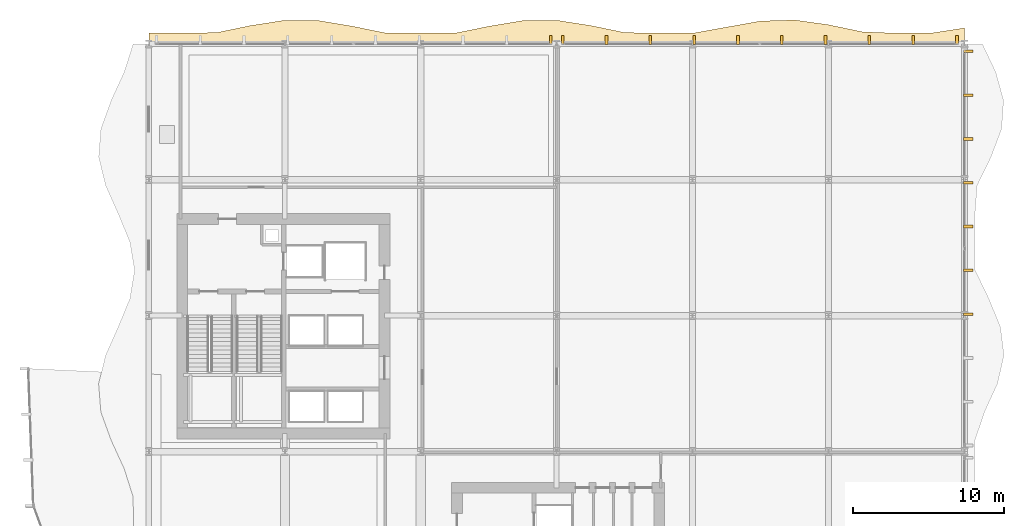
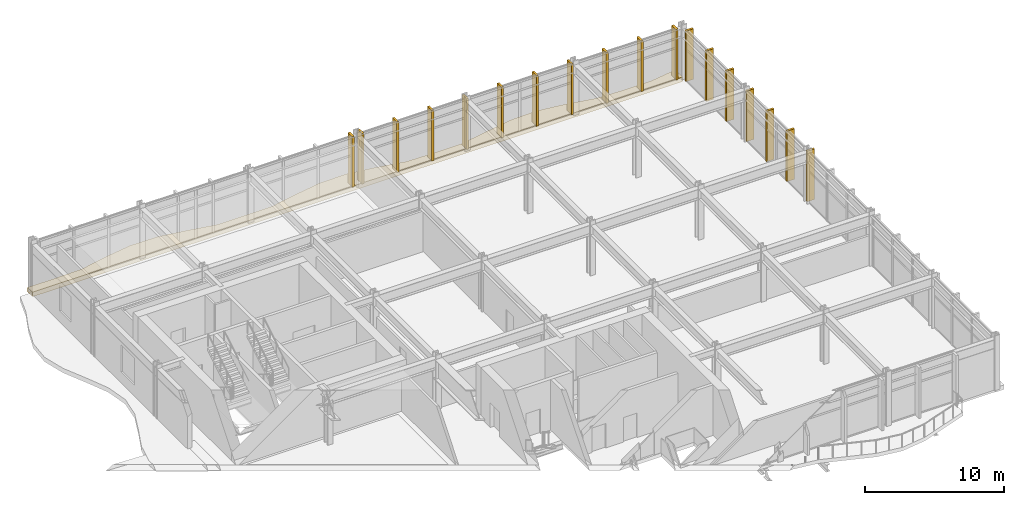
# One storey, part 30 of 31: 19 coverings.
"""IFC4 building model written with IfcOpenShell, lengths in metres."""

from ifc_helpers import new_model, si_unit, direction, frame, origin, origin_2d, place, context, subcontext, project, spatial, polyline, rectangle, outline, extrude, material, layer, layer_set, type_object, element, save


model = new_model("IFC4")

# Units and contexts
model_context = context("Model", 3, precision=1e-05, world=origin(), true_north=direction((0.0, 1.0)))
body_context = subcontext(model_context, "Body", "Model", "MODEL_VIEW")
ifc_project = project(units=[si_unit("LENGTHUNIT", "METRE"), si_unit("AREAUNIT", "SQUARE_METRE"), si_unit("VOLUMEUNIT", "CUBIC_METRE"), si_unit("PLANEANGLEUNIT", "RADIAN"), si_unit("MASSUNIT", "GRAM", prefix="KILO")], contexts=[model_context])

# Site, building, storey
site_placement = place(None, origin())
site = spatial("IfcSite", under=ifc_project, at=site_placement, CompositionType="ELEMENT")
building_placement = place(site_placement, origin())
building = spatial("IfcBuilding", under=site, at=building_placement, Name="Solvaryn Broadcast Tower", CompositionType="ELEMENT")
storey_placement = place(building_placement, frame((0.0, 0.0, 26.0)))
storey = spatial("IfcBuildingStorey", under=building, at=storey_placement, Name="L05", CompositionType="ELEMENT", Elevation=26.0)

# Coverings
ifc_material_1 = material(Name="Extruded Architectural Terracotta Fin", Category="masonry")
ifc_layer_1 = layer(ifc_material_1, 0.179931640625)
ifc_layer_set_1 = layer_set([ifc_layer_1], Name="CV-TC-FIN")
covering_type_1 = type_object("IfcCoveringType", Name="CV-TC-FIN", PredefinedType="USERDEFINED", material=ifc_layer_set_1)
for number, where, z_axis, x_axis, name in (
    (1, (35.60009765625, 54.25, 0.0), (0.0, 0.0, 1.0), (1.0, 0.0, 0.0), "L05 Terracotta Vertical Fin FIN-POD-L05-N1-09"),
    (2, (36.39990234375, 54.25, 0.0), (0.0, 0.0, 1.0), (1.0, 0.0, 0.0), "L05 Terracotta Vertical Fin FIN-POD-L05-N2-00"),
    (3, (39.300048828125, 54.25, 0.0), (0.0, 0.0, 1.0), (1.0, 0.0, 0.0), "L05 Terracotta Vertical Fin FIN-POD-L05-N2-01"),
    (4, (42.199951171875, 54.25, 0.0), (0.0, 0.0, 1.0), (1.0, 0.0, 0.0), "L05 Terracotta Vertical Fin FIN-POD-L05-N2-02"),
    (5, (45.10009765625, 54.25, 0.0), (0.0, 0.0, 1.0), (1.0, 0.0, 0.0), "L05 Terracotta Vertical Fin FIN-POD-L05-N2-03"),
    (6, (48.0, 54.25, 0.0), (0.0, 0.0, 1.0), (1.0, 0.0, 0.0), "L05 Terracotta Vertical Fin FIN-POD-L05-N2-04"),
    (7, (50.89990234375, 54.25, 0.0), (0.0, 0.0, 1.0), (1.0, 0.0, 0.0), "L05 Terracotta Vertical Fin FIN-POD-L05-N2-05"),
    (8, (53.800048828125, 54.25, 0.0), (0.0, 0.0, 1.0), (1.0, 0.0, 0.0), "L05 Terracotta Vertical Fin FIN-POD-L05-N2-06"),
    (9, (56.699951171875, 54.25, 0.0), (0.0, 0.0, 1.0), (1.0, 0.0, 0.0), "L05 Terracotta Vertical Fin FIN-POD-L05-N2-07"),
    (10, (59.60009765625, 54.25, 0.0), (0.0, 0.0, 1.0), (1.0, 0.0, 0.0), "L05 Terracotta Vertical Fin FIN-POD-L05-N2-08"),
    (11, (62.5, 54.25, 0.0), (0.0, 0.0, 1.0), (1.0, 0.0, 0.0), "L05 Terracotta Vertical Fin FIN-POD-L05-N2-09"),
):
    element("IfcCovering", number, at=place(storey_placement, frame(where, z_axis=z_axis, x_axis=x_axis)), inside=storey, type_object=covering_type_1, Name=name, ObjectType="FIN", PredefinedType="USERDEFINED", context=body_context, shape_type="SweptSolid", body=[
        extrude(rectangle(XDim=0.179931640625, YDim=0.6201171875, at=origin_2d()), origin(), (0.0, 0.0, 1.0), 4.43994140625),
    ])
for number, where, z_axis, x_axis, name in (
    (12, (63.25, 53.5, 0.0), (0.0, 0.0, 1.0), (1.0, 0.0, 0.0), "L05 Terracotta Vertical Fin FIN-POD-L05-E1-00"),
    (13, (63.25, 50.60009765625, 0.0), (0.0, 0.0, 1.0), (1.0, 0.0, 0.0), "L05 Terracotta Vertical Fin FIN-POD-L05-E1-01"),
    (14, (63.25, 47.699951171875, 0.0), (0.0, 0.0, 1.0), (1.0, 0.0, 0.0), "L05 Terracotta Vertical Fin FIN-POD-L05-E1-02"),
    (15, (63.25, 44.800048828125, 0.0), (0.0, 0.0, 1.0), (1.0, 0.0, 0.0), "L05 Terracotta Vertical Fin FIN-POD-L05-E1-03"),
    (16, (63.25, 41.89990234375, 0.0), (0.0, 0.0, 1.0), (1.0, 0.0, 0.0), "L05 Terracotta Vertical Fin FIN-POD-L05-E1-04"),
    (17, (63.25, 39.0, 0.0), (0.0, 0.0, 1.0), (1.0, 0.0, 0.0), "L05 Terracotta Vertical Fin FIN-POD-L05-E1-05"),
    (18, (63.25, 36.10009765625, 0.0), (0.0, 0.0, 1.0), (1.0, 0.0, 0.0), "L05 Terracotta Vertical Fin FIN-POD-L05-E1-06"),
):
    element("IfcCovering", number, at=place(storey_placement, frame(where, z_axis=z_axis, x_axis=x_axis)), inside=storey, type_object=covering_type_1, Name=name, ObjectType="FIN", PredefinedType="USERDEFINED", context=body_context, shape_type="SweptSolid", body=[
        extrude(rectangle(XDim=0.6201171875, YDim=0.179931640625, at=origin_2d()), origin(), (0.0, 0.0, 1.0), 4.43994140625),
    ])
ifc_material_2 = material(Name="Sculpted Architectural Terracotta Wave Fascia", Category="masonry")
ifc_layer_2 = layer(ifc_material_2, 0.340087890625)
ifc_layer_set_2 = layer_set([ifc_layer_2], Name="CV-WAVE-TRAY")
covering_type_2 = type_object("IfcCoveringType", Name="CV-WAVE-TRAY", PredefinedType="CLADDING", material=ifc_layer_set_2)
covering_placement = place(storey_placement, frame((0.0, 0.0, -0.360107421875)))
element("IfcCovering", 19, at=covering_placement, inside=storey, type_object=covering_type_2, Name="L05 Spreading Wave Tray Apron N", PredefinedType="CLADDING", context=body_context, shape_type="SweptSolid", body=[
    extrude(outline(polyline([(9.0, 54.0), (11.25, 54.0), (13.5, 54.0), (15.75, 54.0), (18.0, 54.0), (20.25, 54.0), (22.5, 54.0), (24.75, 54.0), (27.0, 54.0), (29.25, 54.0), (31.5, 54.0), (33.75, 54.0), (36.0, 54.0), (38.25, 54.0), (40.5, 54.0), (42.75, 54.0), (45.0, 54.0), (47.25, 54.0), (49.5, 54.0), (51.75, 54.0), (54.0, 54.0), (56.25, 54.0), (58.5, 54.0), (60.75, 54.0), (63.0, 54.0), (63.0, 55.050048828125), (60.75, 54.699951171875), (58.5, 54.699951171875), (56.25, 54.791015625), (54.0, 55.260009765625), (51.75, 55.575927734375), (49.5, 55.507080078125), (47.25, 55.10400390625), (45.0, 54.699951171875), (42.75, 54.699951171875), (40.5, 54.743896484375), (38.25, 55.2099609375), (36.0, 55.55810546875), (33.75, 55.534912109375), (31.5, 55.156982421875), (29.25, 54.700927734375), (27.0, 54.699951171875), (24.75, 54.700927734375), (22.5, 55.156982421875), (20.25, 55.534912109375), (18.0, 55.55810546875), (15.75, 55.2099609375), (13.5, 54.743896484375), (11.25, 54.699951171875), (9.0, 54.699951171875), (9.0, 54.0)])), origin(), (0.0, 0.0, 1.0), 0.400146484375),
])

save(model, "model.ifc")
